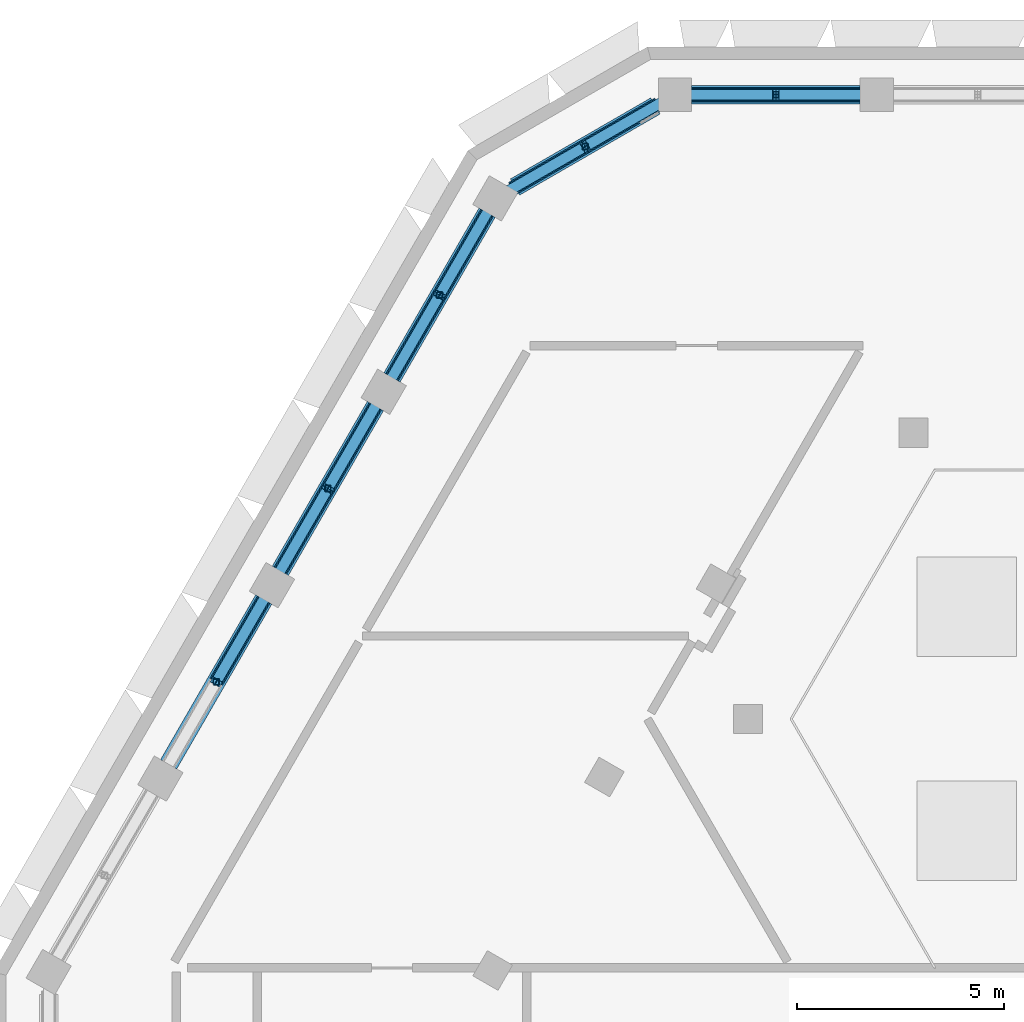
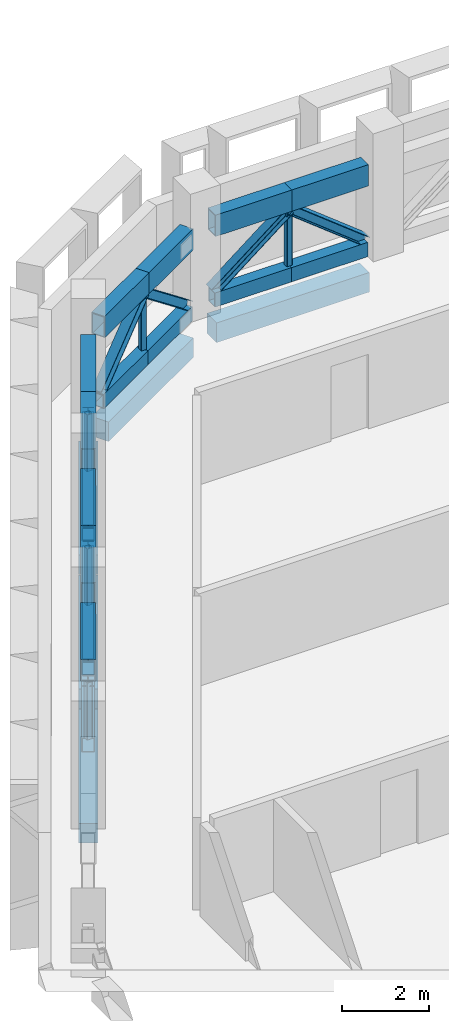
# One storey, part 7 of 24: 32 members, 5 beams.
"""IFC4 building model written with IfcOpenShell, lengths in metres."""

from ifc_helpers import new_model, si_unit, direction, frame, origin, origin_2d, place, context, subcontext, project, spatial, rectangle, hollow_rectangle, i_section, extrude, material, material_profile, profile_set, type_object, element, save


model = new_model("IFC4")

# Units and contexts
model_context = context("Model", 3, precision=1e-05, world=origin(), true_north=direction((0.0, 1.0)))
body_context = subcontext(model_context, "Body", "Model", "MODEL_VIEW")
ifc_project = project(units=[si_unit("LENGTHUNIT", "METRE"), si_unit("AREAUNIT", "SQUARE_METRE"), si_unit("VOLUMEUNIT", "CUBIC_METRE"), si_unit("PLANEANGLEUNIT", "RADIAN"), si_unit("MASSUNIT", "GRAM", prefix="KILO")], contexts=[model_context])

# Site, building, storey
site_placement = place(None, origin())
site = spatial("IfcSite", under=ifc_project, at=site_placement, CompositionType="ELEMENT")
building_placement = place(site_placement, origin())
building = spatial("IfcBuilding", under=site, at=building_placement, Name="Beryl Residences", CompositionType="ELEMENT")
storey_placement = place(building_placement, frame((0.0, 0.0, 199.199951171875)))
storey = spatial("IfcBuildingStorey", under=building, at=storey_placement, Name="L61", CompositionType="ELEMENT", Elevation=199.199951171875)

# Members
ifc_material_1 = material(Name="Steel S355", Category="steel")
ifc_material_profile_1 = material_profile(ifc_material_1, hollow_rectangle(XDim=0.300048828125, YDim=0.39990234375, WallThickness=0.02001953125, at=origin_2d()))
ifc_profile_set_1 = profile_set([ifc_material_profile_1], Name="Steel S355")
member_type_1 = type_object("IfcMemberType", Name="BB4 belt truss bottom chord WB 400x300x20", PredefinedType="CHORD", material=ifc_profile_set_1)
for number, where, z_axis, x_axis, name in (
    (1, (-5.263916015625, 23.050048828125, 0.199951171875), (-1.0, 0.0, 0.0), (0.0, -1.0, 0.0), "Belt truss BB4-N-3a L61"),
    (2, (-7.2958984375, 23.050048828125, 0.199951171875), (-1.0, 0.0, 0.0), (0.0, -1.0, 0.0), "Belt truss BB4-N-3b L61"),
):
    element("IfcMember", number, at=place(storey_placement, frame(where, z_axis=z_axis, x_axis=x_axis)), inside=storey, type_object=member_type_1, Name=name, PredefinedType="CHORD", context=body_context, shape_type="SweptSolid", body=[
        extrude(hollow_rectangle(XDim=0.300048828125, YDim=0.39990234375, WallThickness=0.02001953125, at=origin_2d()), origin(), (0.0, 0.0, 1.0), 2.031982421875),
    ])
member_1_placement = place(storey_placement, frame((-10.1279296875, 22.819091796875, 0.199951171875), z_axis=(-0.866037978706, -0.499978218965, 0.0), x_axis=(0.499978218965, -0.866037978706, 0.0)))
element("IfcMember", 3, at=member_1_placement, inside=storey, type_object=member_type_1, Name="Belt truss BB4-N-4a L61", PredefinedType="CHORD", context=body_context, shape_type="SweptSolid", body=[
    extrude(hollow_rectangle(XDim=0.300048828125, YDim=0.39990234375, WallThickness=0.02001953125, at=origin_2d()), origin(), (0.0, 0.0, 1.0), 2.0380859375),
])
member_2_placement = place(storey_placement, frame((-11.89306640625, 21.800048828125, 0.199951171875), z_axis=(-0.866008030666, -0.500030089916, 0.0), x_axis=(0.500030089916, -0.866008030666, 0.0)))
element("IfcMember", 4, at=member_2_placement, inside=storey, type_object=member_type_1, Name="Belt truss BB4-N-4b L61", PredefinedType="CHORD", context=body_context, shape_type="SweptSolid", body=[
    extrude(hollow_rectangle(XDim=0.300048828125, YDim=0.39990234375, WallThickness=0.02001953125, at=origin_2d()), origin(), (0.0, 0.0, 1.0), 2.037841796875),
])
for number, where, z_axis, x_axis, name in (
    (5, (-14.258056640625, 20.2041015625, 0.199951171875), (-0.499965247104, -0.866045467449, 0.0), (0.866045467449, -0.499965247104, 0.0), "Belt truss BB4-NW-0a L61"),
    (6, (-15.404052734375, 18.218994140625, 0.199951171875), (-0.499965247104, -0.866045467449, 0.0), (0.866045467449, -0.499965247104, 0.0), "Belt truss BB4-NW-0b L61"),
):
    element("IfcMember", number, at=place(storey_placement, frame(where, z_axis=z_axis, x_axis=x_axis)), inside=storey, type_object=member_type_1, Name=name, PredefinedType="CHORD", context=body_context, shape_type="SweptSolid", body=[
        extrude(hollow_rectangle(XDim=0.300048828125, YDim=0.39990234375, WallThickness=0.02001953125, at=origin_2d()), origin(), (0.0, 0.0, 1.0), 2.292236328125),
    ])
member_3_placement = place(storey_placement, frame((-16.949951171875, 15.5419921875, 0.199951171875), z_axis=(-0.499780828937, -0.866151905284, 0.0), x_axis=(0.866151905284, -0.499780828937, 0.0)))
element("IfcMember", 7, at=member_3_placement, inside=storey, type_object=member_type_1, Name="Belt truss BB4-NW-1a L61", PredefinedType="CHORD", context=body_context, shape_type="SweptSolid", body=[
    extrude(hollow_rectangle(XDim=0.300048828125, YDim=0.39990234375, WallThickness=0.02001953125, at=origin_2d()), origin(), (0.0, 0.0, 1.0), 2.29296875),
])
member_4_placement = place(storey_placement, frame((-18.095947265625, 13.555908203125, 0.199951171875), z_axis=(-0.500011369369, -0.866018839577, 0.0), x_axis=(0.866018839577, -0.500011369369, 0.0)))
element("IfcMember", 8, at=member_4_placement, inside=storey, type_object=member_type_1, Name="Belt truss BB4-NW-1b L61", PredefinedType="CHORD", context=body_context, shape_type="SweptSolid", body=[
    extrude(hollow_rectangle(XDim=0.300048828125, YDim=0.39990234375, WallThickness=0.02001953125, at=origin_2d()), origin(), (0.0, 0.0, 1.0), 2.2919921875),
])
member_5_placement = place(storey_placement, frame((-19.64208984375, 10.87890625, 0.199951171875), z_axis=(-0.499826922847, -0.866125306868, 0.0), x_axis=(0.866125306868, -0.499826922847, 0.0)))
element("IfcMember", 9, at=member_5_placement, inside=storey, type_object=member_type_1, Name="Belt truss BB4-NW-2a L61", PredefinedType="CHORD", context=body_context, shape_type="SweptSolid", body=[
    extrude(hollow_rectangle(XDim=0.300048828125, YDim=0.39990234375, WallThickness=0.02001953125, at=origin_2d()), origin(), (0.0, 0.0, 1.0), 2.292724609375),
])
ifc_material_2 = material(Name="Steel S355", Category="steel")
ifc_material_profile_2 = material_profile(ifc_material_2, i_section(OverallWidth=0.25390625, OverallDepth=0.25390625, WebThickness=0.008544921875, FlangeThickness=0.01416015625, FilletRadius=0.013916015625, at=origin_2d()))
ifc_profile_set_2 = profile_set([ifc_material_profile_2], Name="Steel S355")
member_type_2 = type_object("IfcMemberType", Name="BD4 belt truss diagonal 250UC73", PredefinedType="BRACE", material=ifc_profile_set_2)
for number, where, z_axis, x_axis, name in (
    (10, (-5.263916015625, 23.050048828125, 0.400146484375), (-0.785698828855, 0.0, 0.618609206475), (0.0, -1.0, 0.0), "Belt truss BD4-N-3a L61"),
    (11, (-9.327880859375, 23.050048828125, 0.400146484375), (0.785698828855, 0.0, 0.618609206475), (0.0, 1.0, 0.0), "Belt truss BD4-N-3b L61"),
):
    element("IfcMember", number, at=place(storey_placement, frame(where, z_axis=z_axis, x_axis=x_axis)), inside=storey, type_object=member_type_2, Name=name, PredefinedType="BRACE", context=body_context, shape_type="SweptSolid", body=[
        extrude(i_section(OverallWidth=0.25390625, OverallDepth=0.25390625, WebThickness=0.008544921875, FlangeThickness=0.01416015625, FilletRadius=0.013916015625, at=origin_2d()), origin(), (0.0, 0.0, 1.0), 2.586181640625),
    ])
member_6_placement = place(storey_placement, frame((-10.1279296875, 22.819091796875, 0.400146484375), z_axis=(-0.681236311437, -0.393289123643, 0.617446963879), x_axis=(0.499978218965, -0.866037978706, 0.0)))
element("IfcMember", 12, at=member_6_placement, inside=storey, type_object=member_type_2, Name="Belt truss BD4-N-4a L61", PredefinedType="BRACE", context=body_context, shape_type="SweptSolid", body=[
    extrude(i_section(OverallWidth=0.25390625, OverallDepth=0.25390625, WebThickness=0.008544921875, FlangeThickness=0.01416015625, FilletRadius=0.013916015625, at=origin_2d()), origin(), (0.0, 0.0, 1.0), 2.591064453125),
])
member_7_placement = place(storey_placement, frame((-13.657958984375, 20.781005859375, 0.400146484375), z_axis=(0.681185810561, 0.39331436897, 0.617486597954), x_axis=(-0.500030089916, 0.866008030666, 0.0)))
element("IfcMember", 13, at=member_7_placement, inside=storey, type_object=member_type_2, Name="Belt truss BD4-N-4b L61", PredefinedType="BRACE", context=body_context, shape_type="SweptSolid", body=[
    extrude(i_section(OverallWidth=0.25390625, OverallDepth=0.25390625, WebThickness=0.008544921875, FlangeThickness=0.01416015625, FilletRadius=0.013916015625, at=origin_2d()), origin(), (0.0, 0.0, 1.0), 2.5908203125),
])
for number, where, z_axis, x_axis, name in (
    (14, (-14.258056640625, 20.2041015625, 0.400146484375), (-0.409978056811, -0.710168636542, 0.572344739301), (0.866045467449, -0.499965247104, 0.0), "Belt truss BD4-NW-0a L61"),
    (15, (-16.550048828125, 16.23388671875, 0.400146484375), (0.409978056811, 0.710168636542, 0.572344739301), (-0.866045467449, 0.499965247104, 0.0), "Belt truss BD4-NW-0b L61"),
):
    element("IfcMember", number, at=place(storey_placement, frame(where, z_axis=z_axis, x_axis=x_axis)), inside=storey, type_object=member_type_2, Name=name, PredefinedType="BRACE", context=body_context, shape_type="SweptSolid", body=[
        extrude(i_section(OverallWidth=0.25390625, OverallDepth=0.25390625, WebThickness=0.008544921875, FlangeThickness=0.01416015625, FilletRadius=0.013916015625, at=origin_2d()), origin(), (0.0, 0.0, 1.0), 2.795166015625),
    ])
member_8_placement = place(storey_placement, frame((-16.949951171875, 15.5419921875, 0.400146484375), z_axis=(-0.409876351226, -0.710341737798, 0.572202754492), x_axis=(0.866151905284, -0.499780828937, 0.0)))
element("IfcMember", 16, at=member_8_placement, inside=storey, type_object=member_type_2, Name="Belt truss BD4-NW-1a L61", PredefinedType="BRACE", context=body_context, shape_type="SweptSolid", body=[
    extrude(i_section(OverallWidth=0.25390625, OverallDepth=0.25390625, WebThickness=0.008544921875, FlangeThickness=0.01416015625, FilletRadius=0.013916015625, at=origin_2d()), origin(), (0.0, 0.0, 1.0), 2.7958984375),
])
member_9_placement = place(storey_placement, frame((-19.241943359375, 11.571044921875, 0.400146484375), z_axis=(0.410003487219, 0.710125341092, 0.572380241104), x_axis=(-0.866018839577, 0.500011369369, 0.0)))
element("IfcMember", 17, at=member_9_placement, inside=storey, type_object=member_type_2, Name="Belt truss BD4-NW-1b L61", PredefinedType="BRACE", context=body_context, shape_type="SweptSolid", body=[
    extrude(i_section(OverallWidth=0.25390625, OverallDepth=0.25390625, WebThickness=0.008544921875, FlangeThickness=0.01416015625, FilletRadius=0.013916015625, at=origin_2d()), origin(), (0.0, 0.0, 1.0), 2.795166015625),
])
member_10_placement = place(storey_placement, frame((-19.64208984375, 10.87890625, 0.400146484375), z_axis=(-0.409901775215, -0.710298474562, 0.572238247333), x_axis=(0.866125306868, -0.499826922847, 0.0)))
element("IfcMember", 18, at=member_10_placement, inside=storey, type_object=member_type_2, Name="Belt truss BD4-NW-2a L61", PredefinedType="BRACE", context=body_context, shape_type="SweptSolid", body=[
    extrude(i_section(OverallWidth=0.25390625, OverallDepth=0.25390625, WebThickness=0.008544921875, FlangeThickness=0.01416015625, FilletRadius=0.013916015625, at=origin_2d()), origin(), (0.0, 0.0, 1.0), 2.7958984375),
])
ifc_material_3 = material(Name="Steel S355", Category="steel")
ifc_material_profile_3 = material_profile(ifc_material_3, hollow_rectangle(XDim=0.14990234375, YDim=0.14990234375, WallThickness=0.009033203125, InnerFilletRadius=0.009033203125, OuterFilletRadius=0.01806640625, at=origin_2d()))
ifc_profile_set_3 = profile_set([ifc_material_profile_3], Name="Steel S355")
member_type_3 = type_object("IfcMemberType", Name="BQ4 belt truss post SHS 150x150x9", PredefinedType="POST", material=ifc_profile_set_3)
for number, where, z_axis, x_axis, name in (
    (19, (-7.2958984375, 23.050048828125, 0.400146484375), (0.0, 0.0, 1.0), (1.0, 0.0, 0.0), "Belt truss BQ4-N-3 L61"),
    (20, (-11.89306640625, 21.800048828125, 0.400146484375), (0.0, 0.0, 1.0), (1.0, 0.0, 0.0), "Belt truss BQ4-N-4 L61"),
    (21, (-15.404052734375, 18.218994140625, 0.400146484375), (0.0, 0.0, 1.0), (1.0, 0.0, 0.0), "Belt truss BQ4-NW-0 L61"),
    (22, (-18.095947265625, 13.555908203125, 0.400146484375), (0.0, 0.0, 1.0), (1.0, 0.0, 0.0), "Belt truss BQ4-NW-1 L61"),
    (23, (-20.7880859375, 8.89306640625, 0.400146484375), (0.0, 0.0, 1.0), (1.0, 0.0, 0.0), "Belt truss BQ4-NW-2 L61"),
):
    element("IfcMember", number, at=place(storey_placement, frame(where, z_axis=z_axis, x_axis=x_axis)), inside=storey, type_object=member_type_3, Name=name, PredefinedType="POST", context=body_context, shape_type="SweptSolid", body=[
        extrude(hollow_rectangle(XDim=0.14990234375, YDim=0.14990234375, WallThickness=0.009033203125, InnerFilletRadius=0.009033203125, OuterFilletRadius=0.01806640625, at=origin_2d()), origin(), (0.0, 0.0, 1.0), 1.599853515625),
    ])
ifc_material_4 = material(Name="Steel S355", Category="steel")
ifc_material_profile_4 = material_profile(ifc_material_4, hollow_rectangle(XDim=0.35009765625, YDim=0.60009765625, WallThickness=0.02490234375, at=origin_2d()))
ifc_profile_set_4 = profile_set([ifc_material_profile_4], Name="Steel S355")
member_type_4 = type_object("IfcMemberType", Name="BT4 belt truss top chord WB 600x350x25", PredefinedType="CHORD", material=ifc_profile_set_4)
for number, where, z_axis, x_axis, name in (
    (24, (-5.263916015625, 23.050048828125, 2.300048828125), (-1.0, 0.0, 0.0), (0.0, -1.0, 0.0), "Belt truss BT4-N-3a L61"),
    (25, (-7.2958984375, 23.050048828125, 2.300048828125), (-1.0, 0.0, 0.0), (0.0, -1.0, 0.0), "Belt truss BT4-N-3b L61"),
):
    element("IfcMember", number, at=place(storey_placement, frame(where, z_axis=z_axis, x_axis=x_axis)), inside=storey, type_object=member_type_4, Name=name, PredefinedType="CHORD", context=body_context, shape_type="SweptSolid", body=[
        extrude(hollow_rectangle(XDim=0.35009765625, YDim=0.60009765625, WallThickness=0.02490234375, at=origin_2d()), origin(), (0.0, 0.0, 1.0), 2.031982421875),
    ])
member_11_placement = place(storey_placement, frame((-10.1279296875, 22.819091796875, 2.300048828125), z_axis=(-0.866037978706, -0.499978218965, 0.0), x_axis=(0.499978218965, -0.866037978706, 0.0)))
element("IfcMember", 26, at=member_11_placement, inside=storey, type_object=member_type_4, Name="Belt truss BT4-N-4a L61", PredefinedType="CHORD", context=body_context, shape_type="SweptSolid", body=[
    extrude(hollow_rectangle(XDim=0.35009765625, YDim=0.60009765625, WallThickness=0.02490234375, at=origin_2d()), origin(), (0.0, 0.0, 1.0), 2.0380859375),
])
member_12_placement = place(storey_placement, frame((-11.89306640625, 21.800048828125, 2.300048828125), z_axis=(-0.866008030666, -0.500030089916, 0.0), x_axis=(0.500030089916, -0.866008030666, 0.0)))
element("IfcMember", 27, at=member_12_placement, inside=storey, type_object=member_type_4, Name="Belt truss BT4-N-4b L61", PredefinedType="CHORD", context=body_context, shape_type="SweptSolid", body=[
    extrude(hollow_rectangle(XDim=0.35009765625, YDim=0.60009765625, WallThickness=0.02490234375, at=origin_2d()), origin(), (0.0, 0.0, 1.0), 2.037841796875),
])
for number, where, z_axis, x_axis, name in (
    (28, (-14.258056640625, 20.2041015625, 2.300048828125), (-0.499965247104, -0.866045467449, 0.0), (0.866045467449, -0.499965247104, 0.0), "Belt truss BT4-NW-0a L61"),
    (29, (-15.404052734375, 18.218994140625, 2.300048828125), (-0.499965247104, -0.866045467449, 0.0), (0.866045467449, -0.499965247104, 0.0), "Belt truss BT4-NW-0b L61"),
):
    element("IfcMember", number, at=place(storey_placement, frame(where, z_axis=z_axis, x_axis=x_axis)), inside=storey, type_object=member_type_4, Name=name, PredefinedType="CHORD", context=body_context, shape_type="SweptSolid", body=[
        extrude(hollow_rectangle(XDim=0.35009765625, YDim=0.60009765625, WallThickness=0.02490234375, at=origin_2d()), origin(), (0.0, 0.0, 1.0), 2.292236328125),
    ])
member_13_placement = place(storey_placement, frame((-16.949951171875, 15.5419921875, 2.300048828125), z_axis=(-0.499780828937, -0.866151905284, 0.0), x_axis=(0.866151905284, -0.499780828937, 0.0)))
element("IfcMember", 30, at=member_13_placement, inside=storey, type_object=member_type_4, Name="Belt truss BT4-NW-1a L61", PredefinedType="CHORD", context=body_context, shape_type="SweptSolid", body=[
    extrude(hollow_rectangle(XDim=0.35009765625, YDim=0.60009765625, WallThickness=0.02490234375, at=origin_2d()), origin(), (0.0, 0.0, 1.0), 2.29296875),
])
member_14_placement = place(storey_placement, frame((-18.095947265625, 13.555908203125, 2.300048828125), z_axis=(-0.500011369369, -0.866018839577, 0.0), x_axis=(0.866018839577, -0.500011369369, 0.0)))
element("IfcMember", 31, at=member_14_placement, inside=storey, type_object=member_type_4, Name="Belt truss BT4-NW-1b L61", PredefinedType="CHORD", context=body_context, shape_type="SweptSolid", body=[
    extrude(hollow_rectangle(XDim=0.35009765625, YDim=0.60009765625, WallThickness=0.02490234375, at=origin_2d()), origin(), (0.0, 0.0, 1.0), 2.2919921875),
])
member_15_placement = place(storey_placement, frame((-19.64208984375, 10.87890625, 2.300048828125), z_axis=(-0.499826922847, -0.866125306868, 0.0), x_axis=(0.866125306868, -0.499826922847, 0.0)))
element("IfcMember", 32, at=member_15_placement, inside=storey, type_object=member_type_4, Name="Belt truss BT4-NW-2a L61", PredefinedType="CHORD", context=body_context, shape_type="SweptSolid", body=[
    extrude(hollow_rectangle(XDim=0.35009765625, YDim=0.60009765625, WallThickness=0.02490234375, at=origin_2d()), origin(), (0.0, 0.0, 1.0), 2.292724609375),
])

# Beams
ifc_material_5 = material(Name="Concrete C50/60", Category="concrete")
ifc_material_profile_5 = material_profile(ifc_material_5, rectangle(XDim=0.449951171875, YDim=0.550048828125, at=origin_2d()))
ifc_profile_set_5 = profile_set([ifc_material_profile_5], Name="Concrete C50/60")
beam_type = type_object("IfcBeamType", Name="SB4 spandrel beam 450 x 550 C50/60", PredefinedType="SPANDREL", material=ifc_profile_set_5)
beam_1_placement = place(storey_placement, frame((-5.263916015625, 23.050048828125, -0.675048828125), z_axis=(-1.0, 0.0, 0.0), x_axis=(0.0, -1.0, 0.0)))
element("IfcBeam", 33, at=beam_1_placement, inside=storey, type_object=beam_type, Name="SB4 L61 N-3", PredefinedType="SPANDREL", context=body_context, shape_type="SweptSolid", body=[
    extrude(rectangle(XDim=0.449951171875, YDim=0.550048828125, at=origin_2d()), origin(), (0.0, 0.0, 1.0), 4.06396484375),
])
beam_2_placement = place(storey_placement, frame((-10.200927734375, 22.777099609375, -0.675048828125), z_axis=(-0.865988935984, -0.500063158763, 0.0), x_axis=(0.500063158763, -0.865988935984, 0.0)))
element("IfcBeam", 34, at=beam_2_placement, inside=storey, type_object=beam_type, Name="SB4 L61 N-4", PredefinedType="SPANDREL", context=body_context, shape_type="SweptSolid", body=[
    extrude(rectangle(XDim=0.449951171875, YDim=0.550048828125, at=origin_2d()), origin(), (0.0, 0.0, 1.0), 3.90771484375),
])
beam_3_placement = place(storey_placement, frame((-14.258056640625, 20.2041015625, -0.675048828125), z_axis=(-0.499965247104, -0.866045467449, 0.0), x_axis=(0.866045467449, -0.499965247104, 0.0)))
element("IfcBeam", 35, at=beam_3_placement, inside=storey, type_object=beam_type, Name="SB4 L61 NW-0", PredefinedType="SPANDREL", context=body_context, shape_type="SweptSolid", body=[
    extrude(rectangle(XDim=0.449951171875, YDim=0.550048828125, at=origin_2d()), origin(), (0.0, 0.0, 1.0), 4.584228515625),
])
for number, where, z_axis, x_axis, name in (
    (36, (-16.949951171875, 15.5419921875, -0.675048828125), (-0.499896077001, -0.866085395443, 0.0), (0.866085395443, -0.499896077001, 0.0), "SB4 L61 NW-1"),
    (37, (-19.64208984375, 10.87890625, -0.675048828125), (-0.499896077001, -0.866085395443, 0.0), (0.866085395443, -0.499896077001, 0.0), "SB4 L61 NW-2"),
):
    element("IfcBeam", number, at=place(storey_placement, frame(where, z_axis=z_axis, x_axis=x_axis)), inside=storey, type_object=beam_type, Name=name, PredefinedType="SPANDREL", context=body_context, shape_type="SweptSolid", body=[
        extrude(rectangle(XDim=0.449951171875, YDim=0.550048828125, at=origin_2d()), origin(), (0.0, 0.0, 1.0), 4.5849609375),
    ])

save(model, "model.ifc")
